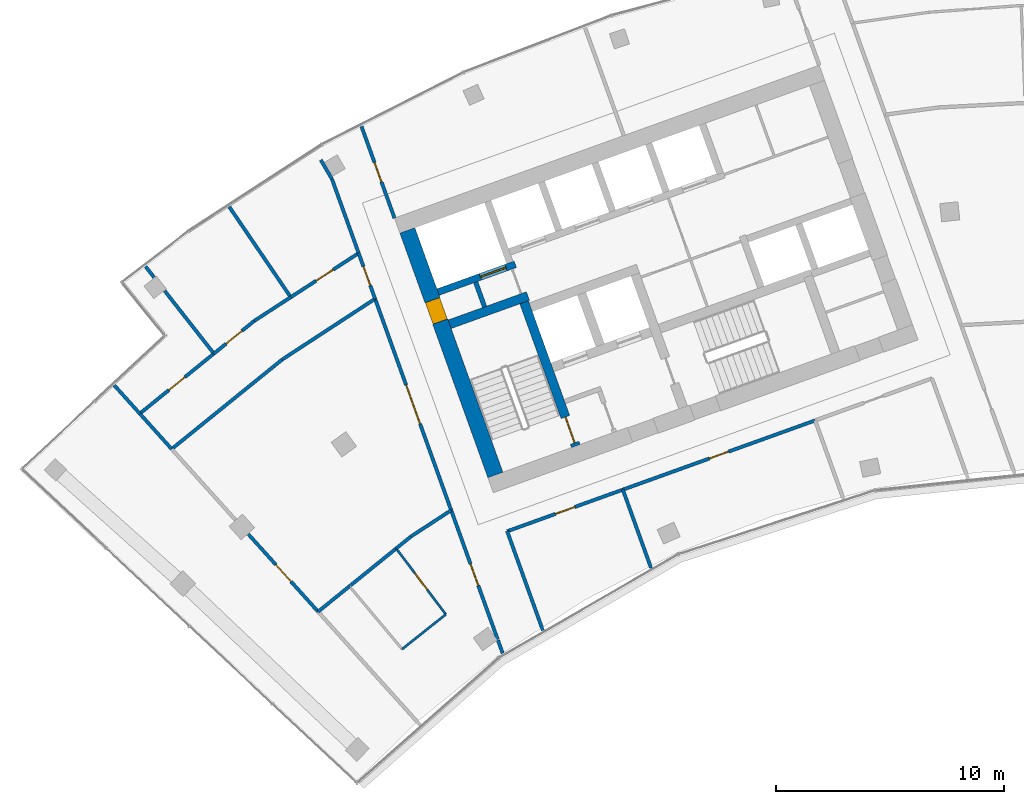
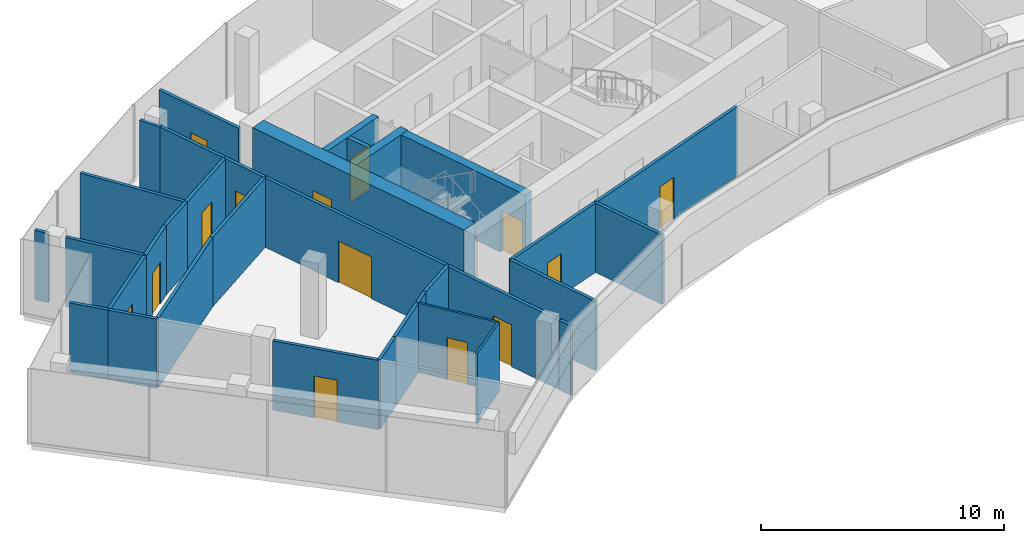
# One storey, part 12 of 18: 34 walls, 14 doors, 14 openings.
"""IFC4 building model written with IfcOpenShell, lengths in metres."""

from ifc_helpers import new_model, si_unit, direction, frame, frame_2d, origin, place, context, subcontext, project, spatial, rectangle, extrude, material, layer, layer_set, type_object, element, fill, save


model = new_model("IFC4")

# Units and contexts
model_context = context("Model", 3, precision=1e-05, world=origin(), true_north=direction((0.0, 1.0)))
body_context = subcontext(model_context, "Body", "Model", "MODEL_VIEW")
ifc_project = project(units=[si_unit("LENGTHUNIT", "METRE"), si_unit("AREAUNIT", "SQUARE_METRE"), si_unit("VOLUMEUNIT", "CUBIC_METRE"), si_unit("PLANEANGLEUNIT", "RADIAN"), si_unit("MASSUNIT", "GRAM", prefix="KILO")], contexts=[model_context])

# Site, building, storey
site_placement = place(None, origin())
site = spatial("IfcSite", under=ifc_project, at=site_placement, CompositionType="ELEMENT")
building_placement = place(site_placement, origin())
building = spatial("IfcBuilding", under=site, at=building_placement, Name="Stone Belt Terrace Tower", CompositionType="ELEMENT")
storey_placement = place(building_placement, frame((0.0, 0.0, 261.800048828125)))
storey = spatial("IfcBuildingStorey", under=building, at=storey_placement, Name="L63", CompositionType="ELEMENT", Elevation=261.800048828125)

# Wall, opening, door
ifc_material_1 = material(Name="Concrete B60", Category="concrete")
ifc_layer_1 = layer(ifc_material_1, 0.699951171875)
ifc_layer_set_1 = layer_set([ifc_layer_1], Name="Core wall 700 B60")
wall_type_1 = type_object("IfcWallType", Name="Core wall 700 B60", PredefinedType="SHEAR", material=ifc_layer_set_1)
wall_1_placement = place(storey_placement, frame((-25.679931640625, 43.153564453125, 0.0), z_axis=(0.0, 0.0, 1.0), x_axis=(-0.338625431531, 0.940921259788, 0.0)))
wall_1 = element("IfcWall", 1, at=wall_1_placement, inside=storey, type_object=wall_type_1, Name="Core A wall end_a L63", PredefinedType="SHEAR", context=body_context, shape_type="SweptSolid", body=[
    extrude(rectangle(XDim=11.400146484375, YDim=0.699951171875, at=frame_2d((5.7001953125, 0.0))), origin(), (0.0, 0.0, 1.0), 3.800048828125),
])
opening_1_placement = place(wall_1_placement, frame((7.14990234375, 0.0, 0.0)))
opening_1 = element("IfcOpeningElement", 2, at=opening_1_placement, cuts=wall_1, Name="Opening L63-C05", PredefinedType="OPENING", context=body_context, shape_type="SweptSolid", body=[
    extrude(rectangle(XDim=1.0, YDim=2.10009765625, at=frame_2d((0.5, 1.050048828125))), frame((0.0, 0.35986328125, 0.0), z_axis=(0.0, -1.0, 0.0), x_axis=(1.0, 0.0, 0.0)), (0.0, 0.0, 1.0), 0.719970703125),
])
ifc_material_2 = material(Name="Timber door leaf", Category="wood")
door_type_1 = type_object("IfcDoorType", Name="Core room door 1000", OperationType="SINGLE_SWING_LEFT", PredefinedType="DOOR", material=ifc_material_2)
door_1_placement = place(opening_1_placement, origin())
door_1 = element("IfcDoor", 3, at=door_1_placement, inside=storey, type_object=door_type_1, Name="Door to Telecommunications riser room core A", OperationType="SINGLE_SWING_LEFT", OverallHeight=2.10009765625, OverallWidth=1.0, PredefinedType="DOOR", context=body_context, shape_type="SweptSolid", body=[
    extrude(rectangle(XDim=1.0, YDim=2.10009765625, at=frame_2d((0.5, 1.050048828125))), frame((0.0, 0.330078125, 0.0), z_axis=(0.0, -1.0, 0.0), x_axis=(1.0, 0.0, 0.0)), (0.0, 0.0, 1.0), 0.659912109375),
])
fill(opening_1, door_1)

ifc_material_3 = material(Name="Concrete B80", Category="concrete")
ifc_layer_2 = layer(ifc_material_3, 0.300048828125)
ifc_layer_set_2 = layer_set([ifc_layer_2], Name="Lift shaft wall 300")
wall_type_2 = type_object("IfcWallType", Name="Lift shaft wall 300", PredefinedType="SHEAR", material=ifc_layer_set_2)
wall_2_placement = place(storey_placement, frame((-28.195068359375, 51.17578125, 0.0), z_axis=(0.0, 0.0, 1.0), x_axis=(0.940901243567, 0.338681044427, 0.0)))
wall_2 = element("IfcWall", 4, at=wall_2_placement, inside=storey, type_object=wall_type_2, Name="Core A wall", PredefinedType="SHEAR", context=body_context, shape_type="SweptSolid", body=[
    extrude(rectangle(XDim=3.599853515625, YDim=0.300048828125, at=frame_2d((1.7998046875, 0.0))), origin(), (0.0, 0.0, 1.0), 3.47998046875),
])
opening_2_placement = place(wall_2_placement, frame((1.969970703125, 0.0, 0.0)))
opening_2 = element("IfcOpeningElement", 5, at=opening_2_placement, cuts=wall_2, Name="Opening L63-LD07", PredefinedType="OPENING", context=body_context, shape_type="SweptSolid", body=[
    extrude(rectangle(XDim=1.199951171875, YDim=2.199951171875, at=frame_2d((0.60009765625, 1.10009765625))), frame((0.0, 0.159912109375, 0.0), z_axis=(0.0, -1.0, 0.0), x_axis=(1.0, 0.0, 0.0)), (0.0, 0.0, 1.0), 0.320068359375),
])
ifc_material_4 = material(Name="Stainless steel door leaf", Category="steel")
door_type_2 = type_object("IfcDoorType", Name="Landing door 1200", OperationType="SLIDING_TO_LEFT", PredefinedType="DOOR", material=ifc_material_4)
door_2_placement = place(opening_2_placement, origin())
door_2 = element("IfcDoor", 6, at=door_2_placement, inside=storey, type_object=door_type_2, Name="Landing door SV1 core A", OperationType="SLIDING_TO_LEFT", OverallHeight=2.199951171875, OverallWidth=1.199951171875, PredefinedType="DOOR", context=body_context, shape_type="SweptSolid", body=[
    extrude(rectangle(XDim=1.199951171875, YDim=2.199951171875, at=frame_2d((0.60009765625, 1.10009765625))), frame((0.0, 0.02490234375, 0.0), z_axis=(0.0, -1.0, 0.0), x_axis=(1.0, 0.0, 0.0)), (0.0, 0.0, 1.0), 0.050048828125),
])
fill(opening_2, door_2)

# Wall
ifc_material_5 = material(Name="Gypsum board partition")
ifc_layer_3 = layer(ifc_material_5, 0.10009765625)
ifc_layer_set_3 = layer_set([ifc_layer_3], Name="PARTITION 100")
wall_type_3 = type_object("IfcWallType", Name="PARTITION 100", PredefinedType="PARTITIONING", material=ifc_layer_set_3)
wall_3_placement = place(storey_placement, frame((-29.77197265625, 35.513916015625, 0.0), z_axis=(0.0, 0.0, 1.0), x_axis=(0.782936572479, 0.622101537914, 0.0)))
element("IfcWall", 7, at=wall_3_placement, inside=storey, type_object=wall_type_3, Name="L63/wall/i048", PredefinedType="PARTITIONING", context=body_context, shape_type="SweptSolid", body=[
    extrude(rectangle(XDim=2.448486328125, YDim=0.10009765625, at=frame_2d((1.22412109375, 0.0))), origin(), (0.0, 0.0, 1.0), 3.47998046875),
])

# Wall, opening, door
wall_4_placement = place(storey_placement, frame((-27.85498046875, 37.037109375, 0.0), z_axis=(0.0, 0.0, 1.0), x_axis=(-0.601304714061, 0.799019800035, 0.0)))
wall_4 = element("IfcWall", 8, at=wall_4_placement, inside=storey, type_object=wall_type_3, Name="L63/wall/i049", PredefinedType="PARTITIONING", context=body_context, shape_type="SweptSolid", body=[
    extrude(rectangle(XDim=3.620361328125, YDim=0.10009765625, at=frame_2d((1.81005859375, 0.0))), origin(), (0.0, 0.0, 1.0), 3.47998046875),
])
opening_3_placement = place(wall_4_placement, frame((1.3603515625, 0.0, 0.0)))
opening_3 = element("IfcOpeningElement", 9, at=opening_3_placement, cuts=wall_4, Name="Opening D-E1-13", PredefinedType="OPENING", context=body_context, shape_type="SweptSolid", body=[
    extrude(rectangle(XDim=0.89990234375, YDim=2.10009765625, at=frame_2d((0.449951171875, 1.050048828125))), frame((0.0, 0.06005859375, 0.0), z_axis=(0.0, -1.0, 0.0), x_axis=(1.0, 0.0, 0.0)), (0.0, 0.0, 1.0), 0.1201171875),
])
door_type_3 = type_object("IfcDoorType", Name="OFFICE DOOR 900 X 2100", OperationType="NOTDEFINED", PredefinedType="DOOR", material=ifc_material_2)
door_3_placement = place(opening_3_placement, origin())
door_3 = element("IfcDoor", 10, at=door_3_placement, inside=storey, type_object=door_type_3, Name="L63/door/i13", OperationType="SINGLE_SWING_RIGHT", OverallHeight=2.10009765625, OverallWidth=0.89990234375, PredefinedType="DOOR", context=body_context, shape_type="SweptSolid", body=[
    extrude(rectangle(XDim=0.89990234375, YDim=2.10009765625, at=frame_2d((0.449951171875, 1.050048828125))), frame((0.0, 0.02490234375, 0.0), z_axis=(0.0, -1.0, 0.0), x_axis=(1.0, 0.0, 0.0)), (0.0, 0.0, 1.0), 0.050048828125),
])
fill(opening_3, door_3)

# Wall
ifc_layer_4 = layer(ifc_material_5, 0.14990234375)
ifc_layer_set_4 = layer_set([ifc_layer_4], Name="PARTITION 150 EI 60")
wall_type_4 = type_object("IfcWallType", Name="PARTITION 150 EI 60", PredefinedType="PARTITIONING", material=ifc_layer_set_4)
wall_5_placement = place(storey_placement, frame((-25.1650390625, 40.68896484375, 0.0), z_axis=(0.0, 0.0, 1.0), x_axis=(0.338672803798, -0.940904209773, 0.0)))
element("IfcWall", 11, at=wall_5_placement, inside=storey, type_object=wall_type_4, Name="L63/wall/i001", PredefinedType="PARTITIONING", context=body_context, shape_type="SweptSolid", body=[
    extrude(rectangle(XDim=4.631591796875, YDim=0.14990234375, at=frame_2d((2.31591796875, 0.0))), origin(), (0.0, 0.0, 1.0), 3.47998046875),
])

# Wall, opening, door
wall_6_placement = place(storey_placement, frame((-31.556884765625, 58.451171875, 0.0), z_axis=(0.0, 0.0, 1.0), x_axis=(0.338725523051, -0.940885232127, 0.0)))
wall_6 = element("IfcWall", 12, at=wall_6_placement, inside=storey, type_object=wall_type_4, Name="L63/wall/i002", PredefinedType="PARTITIONING", context=body_context, shape_type="SweptSolid", body=[
    extrude(rectangle(XDim=4.283447265625, YDim=0.14990234375, at=frame_2d((2.1416015625, 0.0))), origin(), (0.0, 0.0, 1.0), 3.47998046875),
])
opening_4_placement = place(wall_6_placement, frame((1.691650390625, 0.0, 0.0)))
opening_4 = element("IfcOpeningElement", 13, at=opening_4_placement, cuts=wall_6, Name="Opening D-E1-04", PredefinedType="OPENING", context=body_context, shape_type="SweptSolid", body=[
    extrude(rectangle(XDim=0.89990234375, YDim=2.10009765625, at=frame_2d((0.449951171875, 1.050048828125))), frame((0.0, 0.0849609375, 0.0), z_axis=(0.0, -1.0, 0.0), x_axis=(1.0, 0.0, 0.0)), (0.0, 0.0, 1.0), 0.169921875),
])
door_4_placement = place(opening_4_placement, origin())
door_4 = element("IfcDoor", 14, at=door_4_placement, inside=storey, type_object=door_type_3, Name="L63/door/i04", OperationType="SINGLE_SWING_RIGHT", OverallHeight=2.10009765625, OverallWidth=0.89990234375, PredefinedType="DOOR", context=body_context, shape_type="SweptSolid", body=[
    extrude(rectangle(XDim=0.89990234375, YDim=2.10009765625, at=frame_2d((0.449951171875, 1.050048828125))), frame((0.0, 0.02490234375, 0.0), z_axis=(0.0, -1.0, 0.0), x_axis=(1.0, 0.0, 0.0)), (0.0, 0.0, 1.0), 0.050048828125),
])
fill(opening_4, door_4)

# Wall
wall_7_placement = place(storey_placement, frame((-25.361083984375, 35.330810546875, 0.0), z_axis=(0.0, 0.0, 1.0), x_axis=(-0.338533716033, 0.940954261964, 0.0)))
element("IfcWall", 15, at=wall_7_placement, inside=storey, type_object=wall_type_4, Name="L63/wall/i003", PredefinedType="PARTITIONING", context=body_context, shape_type="SweptSolid", body=[
    extrude(rectangle(XDim=0.60498046875, YDim=0.14990234375, at=frame_2d((0.302490234375, 0.0))), origin(), (0.0, 0.0, 1.0), 3.47998046875),
])

# Wall, opening, door
wall_8_placement = place(storey_placement, frame((-25.580322265625, 35.93994140625, 0.0), z_axis=(0.0, 0.0, 1.0), x_axis=(-0.338636303074, 0.940917347188, 0.0)))
wall_8 = element("IfcWall", 16, at=wall_8_placement, inside=storey, type_object=wall_type_4, Name="L63/wall/i004", PredefinedType="PARTITIONING", context=body_context, shape_type="SweptSolid", body=[
    extrude(rectangle(XDim=6.029296875, YDim=0.14990234375, at=frame_2d((3.0146484375, 0.0))), origin(), (0.0, 0.0, 1.0), 3.47998046875),
])
opening_5_placement = place(wall_8_placement, frame((2.5146484375, 0.0, 0.0)))
opening_5 = element("IfcOpeningElement", 17, at=opening_5_placement, cuts=wall_8, Name="Opening D-E1-12", PredefinedType="OPENING", context=body_context, shape_type="SweptSolid", body=[
    extrude(rectangle(XDim=1.0, YDim=2.10009765625, at=frame_2d((0.5, 1.050048828125))), frame((0.0, 0.0849609375, 0.0), z_axis=(0.0, -1.0, 0.0), x_axis=(1.0, 0.0, 0.0)), (0.0, 0.0, 1.0), 0.169921875),
])
ifc_material_6 = material(Name="Timber fire door leaf", Category="wood")
door_type_4 = type_object("IfcDoorType", Name="TENANCY ENTRANCE DOOR 1000 X 2100", OperationType="NOTDEFINED", PredefinedType="DOOR", material=ifc_material_6)
door_5_placement = place(opening_5_placement, origin())
door_5 = element("IfcDoor", 18, at=door_5_placement, inside=storey, type_object=door_type_4, Name="L63/door/i12", OperationType="SINGLE_SWING_RIGHT", OverallHeight=2.10009765625, OverallWidth=1.0, PredefinedType="DOOR", context=body_context, shape_type="SweptSolid", body=[
    extrude(rectangle(XDim=1.0, YDim=2.10009765625, at=frame_2d((0.5, 1.050048828125))), frame((0.0, 0.02490234375, 0.0), z_axis=(0.0, -1.0, 0.0), x_axis=(1.0, 0.0, 0.0)), (0.0, 0.0, 1.0), 0.050048828125),
])
fill(opening_5, door_5)

wall_9_placement = place(storey_placement, frame((-30.9560546875, 50.8740234375, 0.0), z_axis=(0.0, 0.0, 1.0), x_axis=(-0.338364310081, 0.94101519311, 0.0)))
wall_9 = element("IfcWall", 19, at=wall_9_placement, inside=storey, type_object=wall_type_4, Name="L63/wall/i005", PredefinedType="PARTITIONING", context=body_context, shape_type="SweptSolid", body=[
    extrude(rectangle(XDim=2.142333984375, YDim=0.14990234375, at=frame_2d((1.0712890625, 0.0))), origin(), (0.0, 0.0, 1.0), 3.47998046875),
])
opening_6_placement = place(wall_9_placement, frame((0.62109375, 0.0, 0.0)))
opening_6 = element("IfcOpeningElement", 20, at=opening_6_placement, cuts=wall_9, Name="Opening D-E1-14", PredefinedType="OPENING", context=body_context, shape_type="SweptSolid", body=[
    extrude(rectangle(XDim=0.89990234375, YDim=2.10009765625, at=frame_2d((0.449951171875, 1.050048828125))), frame((0.0, 0.0849609375, 0.0), z_axis=(0.0, -1.0, 0.0), x_axis=(1.0, 0.0, 0.0)), (0.0, 0.0, 1.0), 0.169921875),
])
door_6_placement = place(opening_6_placement, origin())
door_6 = element("IfcDoor", 21, at=door_6_placement, inside=storey, type_object=door_type_3, Name="L63/door/i14", OperationType="SINGLE_SWING_RIGHT", OverallHeight=2.10009765625, OverallWidth=0.89990234375, PredefinedType="DOOR", context=body_context, shape_type="SweptSolid", body=[
    extrude(rectangle(XDim=0.89990234375, YDim=2.10009765625, at=frame_2d((0.449951171875, 1.050048828125))), frame((0.0, 0.02490234375, 0.0), z_axis=(0.0, -1.0, 0.0), x_axis=(1.0, 0.0, 0.0)), (0.0, 0.0, 1.0), 0.050048828125),
])
fill(opening_6, door_6)

# Walls
wall_10_placement = place(storey_placement, frame((-31.677001953125, 52.8779296875, 0.0), z_axis=(0.0, 0.0, 1.0), x_axis=(-0.338749400417, 0.940876635759, 0.0)))
element("IfcWall", 22, at=wall_10_placement, inside=storey, type_object=wall_type_4, Name="L63/wall/i006", PredefinedType="PARTITIONING", context=body_context, shape_type="SweptSolid", body=[
    extrude(rectangle(XDim=3.4658203125, YDim=0.14990234375, at=frame_2d((1.73291015625, 0.0))), origin(), (0.0, 0.0, 1.0), 3.47998046875),
])
wall_11_placement = place(storey_placement, frame((-32.85107421875, 56.138916015625, 0.0), z_axis=(0.0, 0.0, 1.0), x_axis=(-0.505505320148, 0.862823487917, 0.0)))
element("IfcWall", 23, at=wall_11_placement, inside=storey, type_object=wall_type_4, Name="L63/wall/i007", PredefinedType="PARTITIONING", context=body_context, shape_type="SweptSolid", body=[
    extrude(rectangle(XDim=0.96533203125, YDim=0.14990234375, at=frame_2d((0.482666015625, 0.0))), origin(), (0.0, 0.0, 1.0), 3.47998046875),
])

# Wall, opening, door
wall_12_placement = place(storey_placement, frame((-27.617919921875, 41.60107421875, 0.0), z_axis=(0.0, 0.0, 1.0), x_axis=(-0.338672159599, 0.940904441648, 0.0)))
wall_12 = element("IfcWall", 24, at=wall_12_placement, inside=storey, type_object=wall_type_4, Name="L63/wall/i008", PredefinedType="PARTITIONING", context=body_context, shape_type="SweptSolid", body=[
    extrude(rectangle(XDim=9.8681640625, YDim=0.14990234375, at=frame_2d((4.93408203125, 0.0))), origin(), (0.0, 0.0, 1.0), 3.47998046875),
])
opening_7_placement = place(wall_12_placement, frame((4.0341796875, 0.0, 0.0)))
opening_7 = element("IfcOpeningElement", 25, at=opening_7_placement, cuts=wall_12, Name="Opening D-E1-18", PredefinedType="OPENING", context=body_context, shape_type="SweptSolid", body=[
    extrude(rectangle(XDim=1.800048828125, YDim=2.10009765625, at=frame_2d((0.89990234375, 1.050048828125))), frame((0.0, 0.0849609375, 0.0), z_axis=(0.0, -1.0, 0.0), x_axis=(1.0, 0.0, 0.0)), (0.0, 0.0, 1.0), 0.169921875),
])
door_type_5 = type_object("IfcDoorType", Name="DOUBLE DOOR 1800 X 2100", OperationType="DOUBLE_DOOR_SINGLE_SWING", PredefinedType="DOOR", material=ifc_material_2)
door_7_placement = place(opening_7_placement, origin())
door_7 = element("IfcDoor", 26, at=door_7_placement, inside=storey, type_object=door_type_5, Name="L63/door/i18", OperationType="DOUBLE_DOOR_SINGLE_SWING", OverallHeight=2.10009765625, OverallWidth=1.800048828125, PredefinedType="DOOR", context=body_context, shape_type="SweptSolid", body=[
    extrude(rectangle(XDim=1.800048828125, YDim=2.10009765625, at=frame_2d((0.89990234375, 1.050048828125))), frame((0.0, 0.02490234375, 0.0), z_axis=(0.0, -1.0, 0.0), x_axis=(1.0, 0.0, 0.0)), (0.0, 0.0, 1.0), 0.050048828125),
])
fill(opening_7, door_7)

wall_13_placement = place(storey_placement, frame((-20.0830078125, 42.510986328125, 0.0), z_axis=(0.0, 0.0, 1.0), x_axis=(-0.940943315894, -0.338564139086, 0.0)))
wall_13 = element("IfcWall", 27, at=wall_13_placement, inside=storey, type_object=wall_type_4, Name="L63/wall/i016", PredefinedType="PARTITIONING", context=body_context, shape_type="SweptSolid", body=[
    extrude(rectangle(XDim=5.39892578125, YDim=0.14990234375, at=frame_2d((2.699462890625, 0.0))), origin(), (0.0, 0.0, 1.0), 3.47998046875),
])
opening_8_placement = place(wall_13_placement, frame((2.24951171875, 0.0, 0.0)))
opening_8 = element("IfcOpeningElement", 28, at=opening_8_placement, cuts=wall_13, Name="Opening D-E1-01", PredefinedType="OPENING", context=body_context, shape_type="SweptSolid", body=[
    extrude(rectangle(XDim=0.89990234375, YDim=2.10009765625, at=frame_2d((0.449951171875, 1.050048828125))), frame((0.0, 0.0849609375, 0.0), z_axis=(0.0, -1.0, 0.0), x_axis=(1.0, 0.0, 0.0)), (0.0, 0.0, 1.0), 0.169921875),
])
door_8_placement = place(opening_8_placement, origin())
door_8 = element("IfcDoor", 29, at=door_8_placement, inside=storey, type_object=door_type_3, Name="L63/door/i01", OperationType="SINGLE_SWING_RIGHT", OverallHeight=2.10009765625, OverallWidth=0.89990234375, PredefinedType="DOOR", context=body_context, shape_type="SweptSolid", body=[
    extrude(rectangle(XDim=0.89990234375, YDim=2.10009765625, at=frame_2d((0.449951171875, 1.050048828125))), frame((0.0, 0.02490234375, 0.0), z_axis=(0.0, -1.0, 0.0), x_axis=(1.0, 0.0, 0.0)), (0.0, 0.0, 1.0), 0.050048828125),
])
fill(opening_8, door_8)

wall_14_placement = place(storey_placement, frame((-11.64892578125, 45.547119140625, 0.0), z_axis=(0.0, 0.0, 1.0), x_axis=(-0.940906479628, -0.338666497596, 0.0)))
wall_14 = element("IfcWall", 30, at=wall_14_placement, inside=storey, type_object=wall_type_4, Name="L63/wall/i017", PredefinedType="PARTITIONING", context=body_context, shape_type="SweptSolid", body=[
    extrude(rectangle(XDim=8.9765625, YDim=0.14990234375, at=frame_2d((4.48828125, 0.0))), origin(), (0.0, 0.0, 1.0), 3.47998046875),
])
opening_9_placement = place(wall_14_placement, frame((4.038330078125, 0.0, 0.0)))
opening_9 = element("IfcOpeningElement", 31, at=opening_9_placement, cuts=wall_14, Name="Opening D-E1-02", PredefinedType="OPENING", context=body_context, shape_type="SweptSolid", body=[
    extrude(rectangle(XDim=0.89990234375, YDim=2.10009765625, at=frame_2d((0.449951171875, 1.050048828125))), frame((0.0, 0.0849609375, 0.0), z_axis=(0.0, -1.0, 0.0), x_axis=(1.0, 0.0, 0.0)), (0.0, 0.0, 1.0), 0.169921875),
])
door_9_placement = place(opening_9_placement, origin())
door_9 = element("IfcDoor", 32, at=door_9_placement, inside=storey, type_object=door_type_3, Name="L63/door/i02", OperationType="SINGLE_SWING_RIGHT", OverallHeight=2.10009765625, OverallWidth=0.89990234375, PredefinedType="DOOR", context=body_context, shape_type="SweptSolid", body=[
    extrude(rectangle(XDim=0.89990234375, YDim=2.10009765625, at=frame_2d((0.449951171875, 1.050048828125))), frame((0.0, 0.02490234375, 0.0), z_axis=(0.0, -1.0, 0.0), x_axis=(1.0, 0.0, 0.0)), (0.0, 0.0, 1.0), 0.050048828125),
])
fill(opening_9, door_9)

# Walls
wall_15_placement = place(storey_placement, frame((-20.089111328125, 42.509033203125, 0.0), z_axis=(0.0, 0.0, 1.0), x_axis=(0.338565699627, -0.940942754389, 0.0)))
element("IfcWall", 33, at=wall_15_placement, inside=storey, type_object=wall_type_4, Name="L63/wall/i019", PredefinedType="PARTITIONING", context=body_context, shape_type="SweptSolid", body=[
    extrude(rectangle(XDim=3.654541015625, YDim=0.14990234375, at=frame_2d((1.8271484375, 0.0))), origin(), (0.0, 0.0, 1.0), 3.47998046875),
])
wall_16_placement = place(storey_placement, frame((-41.282958984375, 45.84912109375, 0.0), z_axis=(0.0, 0.0, 1.0), x_axis=(0.668983971607, -0.743276829811, 0.0)))
element("IfcWall", 34, at=wall_16_placement, inside=storey, type_object=wall_type_4, Name="L63/wall/i043", PredefinedType="PARTITIONING", context=body_context, shape_type="SweptSolid", body=[
    extrude(rectangle(XDim=2.103271484375, YDim=0.14990234375, at=frame_2d((1.0517578125, 0.0))), origin(), (0.0, 0.0, 1.0), 3.47998046875),
])
wall_17_placement = place(storey_placement, frame((-42.39892578125, 47.08837890625, 0.0), z_axis=(0.0, 0.0, 1.0), x_axis=(0.669149398275, -0.74312790473, 0.0)))
element("IfcWall", 35, at=wall_17_placement, inside=storey, type_object=wall_type_4, Name="L63/wall/i044", PredefinedType="PARTITIONING", context=body_context, shape_type="SweptSolid", body=[
    extrude(rectangle(XDim=1.6796875, YDim=0.14990234375, at=frame_2d((0.83984375, 0.0))), origin(), (0.0, 0.0, 1.0), 3.47998046875),
])

# Wall, opening, door
wall_18_placement = place(storey_placement, frame((-33.452880859375, 37.152099609375, 0.0), z_axis=(0.0, 0.0, 1.0), x_axis=(-0.669112093369, 0.74316149423, 0.0)))
wall_18 = element("IfcWall", 36, at=wall_18_placement, inside=storey, type_object=wall_type_4, Name="L63/wall/i046", PredefinedType="PARTITIONING", context=body_context, shape_type="SweptSolid", body=[
    extrude(rectangle(XDim=4.576171875, YDim=0.14990234375, at=frame_2d((2.2880859375, 0.0))), origin(), (0.0, 0.0, 1.0), 3.47998046875),
])
opening_10_placement = place(wall_18_placement, frame((1.7880859375, 0.0, 0.0)))
opening_10 = element("IfcOpeningElement", 37, at=opening_10_placement, cuts=wall_18, Name="Opening D-E1-11", PredefinedType="OPENING", context=body_context, shape_type="SweptSolid", body=[
    extrude(rectangle(XDim=1.0, YDim=2.10009765625, at=frame_2d((0.5, 1.050048828125))), frame((0.0, 0.0849609375, 0.0), z_axis=(0.0, -1.0, 0.0), x_axis=(1.0, 0.0, 0.0)), (0.0, 0.0, 1.0), 0.169921875),
])
door_10_placement = place(opening_10_placement, origin())
door_10 = element("IfcDoor", 38, at=door_10_placement, inside=storey, type_object=door_type_4, Name="L63/door/i11", OperationType="SINGLE_SWING_RIGHT", OverallHeight=2.10009765625, OverallWidth=1.0, PredefinedType="DOOR", context=body_context, shape_type="SweptSolid", body=[
    extrude(rectangle(XDim=1.0, YDim=2.10009765625, at=frame_2d((0.5, 1.050048828125))), frame((0.0, 0.02490234375, 0.0), z_axis=(0.0, -1.0, 0.0), x_axis=(1.0, 0.0, 0.0)), (0.0, 0.0, 1.0), 0.050048828125),
])
fill(opening_10, door_10)

# Walls
wall_19_placement = place(storey_placement, frame((-33.45703125, 37.156982421875, 0.0), z_axis=(0.0, 0.0, 1.0), x_axis=(0.777260939876, 0.629178378, 0.0)))
element("IfcWall", 39, at=wall_19_placement, inside=storey, type_object=wall_type_4, Name="L63/wall/i050", PredefinedType="PARTITIONING", context=body_context, shape_type="SweptSolid", body=[
    extrude(rectangle(XDim=1.76904296875, YDim=0.14990234375, at=frame_2d((0.884521484375, 0.0))), origin(), (0.0, 0.0, 1.0), 3.47998046875),
])
wall_20_placement = place(storey_placement, frame((-30.031982421875, 39.929931640625, 0.0), z_axis=(0.0, 0.0, 1.0), x_axis=(0.776997505944, 0.62950367414, 0.0)))
element("IfcWall", 40, at=wall_20_placement, inside=storey, type_object=wall_type_4, Name="L63/wall/i051", PredefinedType="PARTITIONING", context=body_context, shape_type="SweptSolid", body=[
    extrude(rectangle(XDim=0.82763671875, YDim=0.14990234375, at=frame_2d((0.413818359375, 0.0))), origin(), (0.0, 0.0, 1.0), 3.47998046875),
])
wall_21_placement = place(storey_placement, frame((-29.388916015625, 40.450927734375, 0.0), z_axis=(0.0, 0.0, 1.0), x_axis=(0.837081543775, 0.547078137995, 0.0)))
element("IfcWall", 41, at=wall_21_placement, inside=storey, type_object=wall_type_4, Name="L63/wall/i052", PredefinedType="PARTITIONING", context=body_context, shape_type="SweptSolid", body=[
    extrude(rectangle(XDim=2.113037109375, YDim=0.14990234375, at=frame_2d((1.056640625, 0.0))), origin(), (0.0, 0.0, 1.0), 3.47998046875),
])
wall_22_placement = place(storey_placement, frame((-32.08203125, 38.27001953125, 0.0), z_axis=(0.0, 0.0, 1.0), x_axis=(0.777180205234, 0.629278101154, 0.0)))
element("IfcWall", 42, at=wall_22_placement, inside=storey, type_object=wall_type_4, Name="L63/wall/i053", PredefinedType="PARTITIONING", context=body_context, shape_type="SweptSolid", body=[
    extrude(rectangle(XDim=2.6376953125, YDim=0.14990234375, at=frame_2d((1.31884765625, 0.0))), origin(), (0.0, 0.0, 1.0), 3.47998046875),
])

# Wall, opening, door
wall_23_placement = place(storey_placement, frame((-41.279052734375, 45.844970703125, 0.0), z_axis=(0.0, 0.0, 1.0), x_axis=(0.777120018263, 0.629352426877, 0.0)))
wall_23 = element("IfcWall", 43, at=wall_23_placement, inside=storey, type_object=wall_type_4, Name="L63/wall/i054", PredefinedType="PARTITIONING", context=body_context, shape_type="SweptSolid", body=[
    extrude(rectangle(XDim=4.18994140625, YDim=0.14990234375, at=frame_2d((2.094970703125, 0.0))), origin(), (0.0, 0.0, 1.0), 3.47998046875),
])
opening_11_placement = place(wall_23_placement, frame((1.64501953125, 0.0, 0.0)))
opening_11 = element("IfcOpeningElement", 44, at=opening_11_placement, cuts=wall_23, Name="Opening D-E1-15", PredefinedType="OPENING", context=body_context, shape_type="SweptSolid", body=[
    extrude(rectangle(XDim=0.89990234375, YDim=2.10009765625, at=frame_2d((0.449951171875, 1.050048828125))), frame((0.0, 0.0849609375, 0.0), z_axis=(0.0, -1.0, 0.0), x_axis=(1.0, 0.0, 0.0)), (0.0, 0.0, 1.0), 0.169921875),
])
door_11_placement = place(opening_11_placement, origin())
door_11 = element("IfcDoor", 45, at=door_11_placement, inside=storey, type_object=door_type_3, Name="L63/door/i15", OperationType="SINGLE_SWING_RIGHT", OverallHeight=2.10009765625, OverallWidth=0.89990234375, PredefinedType="DOOR", context=body_context, shape_type="SweptSolid", body=[
    extrude(rectangle(XDim=0.89990234375, YDim=2.10009765625, at=frame_2d((0.449951171875, 1.050048828125))), frame((0.0, 0.02490234375, 0.0), z_axis=(0.0, -1.0, 0.0), x_axis=(1.0, 0.0, 0.0)), (0.0, 0.0, 1.0), 0.050048828125),
])
fill(opening_11, door_11)

wall_24_placement = place(storey_placement, frame((-38.031982421875, 48.47412109375, 0.0), z_axis=(0.0, 0.0, 1.0), x_axis=(0.776997863972, 0.629503232226, 0.0)))
wall_24 = element("IfcWall", 46, at=wall_24_placement, inside=storey, type_object=wall_type_4, Name="L63/wall/i055", PredefinedType="PARTITIONING", context=body_context, shape_type="SweptSolid", body=[
    extrude(rectangle(XDim=2.279296875, YDim=0.14990234375, at=frame_2d((1.1396484375, 0.0))), origin(), (0.0, 0.0, 1.0), 3.47998046875),
])
opening_12_placement = place(wall_24_placement, frame((0.689697265625, 0.0, 0.0)))
opening_12 = element("IfcOpeningElement", 47, at=opening_12_placement, cuts=wall_24, Name="Opening D-E1-16", PredefinedType="OPENING", context=body_context, shape_type="SweptSolid", body=[
    extrude(rectangle(XDim=0.89990234375, YDim=2.10009765625, at=frame_2d((0.449951171875, 1.050048828125))), frame((0.0, 0.0849609375, 0.0), z_axis=(0.0, -1.0, 0.0), x_axis=(1.0, 0.0, 0.0)), (0.0, 0.0, 1.0), 0.169921875),
])
door_12_placement = place(opening_12_placement, origin())
door_12 = element("IfcDoor", 48, at=door_12_placement, inside=storey, type_object=door_type_3, Name="L63/door/i16", OperationType="SINGLE_SWING_RIGHT", OverallHeight=2.10009765625, OverallWidth=0.89990234375, PredefinedType="DOOR", context=body_context, shape_type="SweptSolid", body=[
    extrude(rectangle(XDim=0.89990234375, YDim=2.10009765625, at=frame_2d((0.449951171875, 1.050048828125))), frame((0.0, 0.02490234375, 0.0), z_axis=(0.0, -1.0, 0.0), x_axis=(1.0, 0.0, 0.0)), (0.0, 0.0, 1.0), 0.050048828125),
])
fill(opening_12, door_12)

# Wall
wall_25_placement = place(storey_placement, frame((-36.260986328125, 49.908935546875, 0.0), z_axis=(0.0, 0.0, 1.0), x_axis=(0.838588953135, 0.544764690193, 0.0)))
element("IfcWall", 49, at=wall_25_placement, inside=storey, type_object=wall_type_4, Name="L63/wall/i056", PredefinedType="PARTITIONING", context=body_context, shape_type="SweptSolid", body=[
    extrude(rectangle(XDim=1.91845703125, YDim=0.14990234375, at=frame_2d((0.959228515625, 0.0))), origin(), (0.0, 0.0, 1.0), 3.47998046875),
])

# Wall, opening, door
wall_26_placement = place(storey_placement, frame((-34.662109375, 50.947998046875, 0.0), z_axis=(0.0, 0.0, 1.0), x_axis=(0.838830810825, 0.544392203113, 0.0)))
wall_26 = element("IfcWall", 50, at=wall_26_placement, inside=storey, type_object=wall_type_4, Name="L63/wall/i057", PredefinedType="PARTITIONING", context=body_context, shape_type="SweptSolid", body=[
    extrude(rectangle(XDim=3.556396484375, YDim=0.14990234375, at=frame_2d((1.7783203125, 0.0))), origin(), (0.0, 0.0, 1.0), 3.47998046875),
])
opening_13_placement = place(wall_26_placement, frame((1.328125, 0.0, 0.0)))
opening_13 = element("IfcOpeningElement", 51, at=opening_13_placement, cuts=wall_26, Name="Opening D-E1-17", PredefinedType="OPENING", context=body_context, shape_type="SweptSolid", body=[
    extrude(rectangle(XDim=0.89990234375, YDim=2.10009765625, at=frame_2d((0.449951171875, 1.050048828125))), frame((0.0, 0.0849609375, 0.0), z_axis=(0.0, -1.0, 0.0), x_axis=(1.0, 0.0, 0.0)), (0.0, 0.0, 1.0), 0.169921875),
])
door_13_placement = place(opening_13_placement, origin())
door_13 = element("IfcDoor", 52, at=door_13_placement, inside=storey, type_object=door_type_3, Name="L63/door/i17", OperationType="SINGLE_SWING_RIGHT", OverallHeight=2.10009765625, OverallWidth=0.89990234375, PredefinedType="DOOR", context=body_context, shape_type="SweptSolid", body=[
    extrude(rectangle(XDim=0.89990234375, YDim=2.10009765625, at=frame_2d((0.449951171875, 1.050048828125))), frame((0.0, 0.02490234375, 0.0), z_axis=(0.0, -1.0, 0.0), x_axis=(1.0, 0.0, 0.0)), (0.0, 0.0, 1.0), 0.050048828125),
])
fill(opening_13, door_13)

# Walls
wall_27_placement = place(storey_placement, frame((-30.9580078125, 50.8798828125, 0.0), z_axis=(0.0, 0.0, 1.0), x_axis=(-0.837055321155, -0.547118258995, 0.0)))
element("IfcWall", 53, at=wall_27_placement, inside=storey, type_object=wall_type_4, Name="L63/wall/i058", PredefinedType="PARTITIONING", context=body_context, shape_type="SweptSolid", body=[
    extrude(rectangle(XDim=4.866943359375, YDim=0.14990234375, at=frame_2d((2.43359375, 0.0))), origin(), (0.0, 0.0, 1.0), 3.47998046875),
])
wall_28_placement = place(storey_placement, frame((-35.031982421875, 48.217041015625, 0.0), z_axis=(0.0, 0.0, 1.0), x_axis=(-0.777124553354, -0.629346826937, 0.0)))
element("IfcWall", 54, at=wall_28_placement, inside=storey, type_object=wall_type_4, Name="L63/wall/i059", PredefinedType="PARTITIONING", context=body_context, shape_type="SweptSolid", body=[
    extrude(rectangle(XDim=6.23828125, YDim=0.14990234375, at=frame_2d((3.119140625, 0.0))), origin(), (0.0, 0.0, 1.0), 3.47998046875),
])
wall_29_placement = place(storey_placement, frame((-41.03076171875, 52.3056640625, 0.0), z_axis=(0.0, 0.0, 1.0), x_axis=(0.61729067696, -0.786735165185, 0.0)))
element("IfcWall", 55, at=wall_29_placement, inside=storey, type_object=wall_type_4, Name="L63/wall/i060", PredefinedType="PARTITIONING", context=body_context, shape_type="SweptSolid", body=[
    extrude(rectangle(XDim=0.609375, YDim=0.14990234375, at=frame_2d((0.3046875, 0.0))), origin(), (0.0, 0.0, 1.0), 3.47998046875),
])
wall_30_placement = place(storey_placement, frame((-40.185546875, 51.228271484375, 0.0), z_axis=(0.0, 0.0, 1.0), x_axis=(0.617213700374, -0.786795556718, 0.0)))
element("IfcWall", 56, at=wall_30_placement, inside=storey, type_object=wall_type_4, Name="L63/wall/i061", PredefinedType="PARTITIONING", context=body_context, shape_type="SweptSolid", body=[
    extrude(rectangle(XDim=3.49560546875, YDim=0.14990234375, at=frame_2d((1.747802734375, 0.0))), origin(), (0.0, 0.0, 1.0), 3.47998046875),
])
wall_31_placement = place(storey_placement, frame((-37.3583984375, 54.922607421875, 0.0), z_axis=(0.0, 0.0, 1.0), x_axis=(0.56240594474, -0.826861266067, 0.0)))
element("IfcWall", 57, at=wall_31_placement, inside=storey, type_object=wall_type_4, Name="L63/wall/i062", PredefinedType="PARTITIONING", context=body_context, shape_type="SweptSolid", body=[
    extrude(rectangle(XDim=4.80322265625, YDim=0.14990234375, at=frame_2d((2.401611328125, 0.0))), origin(), (0.0, 0.0, 1.0), 3.47998046875),
])
ifc_material_7 = material(Name="Concrete masonry block", Category="masonry")
ifc_layer_5 = layer(ifc_material_7, 0.199951171875)
ifc_layer_set_5 = layer_set([ifc_layer_5], Name="Rated lobby wall 200")
wall_type_5 = type_object("IfcWallType", Name="Rated lobby wall 200", PredefinedType="PARTITIONING", material=ifc_layer_set_5)
wall_32_placement = place(storey_placement, frame((-26.1552734375, 50.5283203125, 0.0), z_axis=(0.0, 0.0, 1.0), x_axis=(-0.338621735342, 0.94092258999, 0.0)))
element("IfcWall", 58, at=wall_32_placement, inside=storey, type_object=wall_type_5, Name="Core A wall", PredefinedType="PARTITIONING", context=body_context, shape_type="SweptSolid", body=[
    extrude(rectangle(XDim=1.14990234375, YDim=0.199951171875, at=frame_2d((0.574951171875, 0.0))), origin(), (0.0, 0.0, 1.0), 3.47998046875),
])
ifc_layer_6 = layer(ifc_material_3, 0.39990234375)
ifc_layer_set_6 = layer_set([ifc_layer_6], Name="Stair enclosure wall 400")
wall_type_6 = type_object("IfcWallType", Name="Stair enclosure wall 400", PredefinedType="SHEAR", material=ifc_layer_set_6)
wall_33_placement = place(storey_placement, frame((-27.687255859375, 49.764404296875, 0.0), z_axis=(0.0, 0.0, 1.0), x_axis=(0.940918954884, 0.338631835981, 0.0)))
element("IfcWall", 59, at=wall_33_placement, inside=storey, type_object=wall_type_6, Name="Core A wall", PredefinedType="SHEAR", context=body_context, shape_type="SweptSolid", body=[
    extrude(rectangle(XDim=3.650146484375, YDim=0.39990234375, at=frame_2d((1.8251953125, 0.0))), origin(), (0.0, 0.0, 1.0), 3.47998046875),
])

# Wall, opening, door
wall_34_placement = place(storey_placement, frame((-22.151611328125, 44.42333984375, 0.0), z_axis=(0.0, 0.0, 1.0), x_axis=(-0.338625272931, 0.940921316866, 0.0)))
wall_34 = element("IfcWall", 60, at=wall_34_placement, inside=storey, type_object=wall_type_6, Name="Core A wall", PredefinedType="SHEAR", context=body_context, shape_type="SweptSolid", body=[
    extrude(rectangle(XDim=6.699951171875, YDim=0.39990234375, at=frame_2d((3.35009765625, 0.0))), origin(), (0.0, 0.0, 1.0), 3.47998046875),
])
opening_14_placement = place(wall_34_placement, frame((0.14990234375, 0.0, 0.0)))
opening_14 = element("IfcOpeningElement", 61, at=opening_14_placement, cuts=wall_34, Name="Opening L63-C09", PredefinedType="OPENING", context=body_context, shape_type="SweptSolid", body=[
    extrude(rectangle(XDim=1.199951171875, YDim=2.10009765625, at=frame_2d((0.60009765625, 1.050048828125))), frame((0.0, 0.2099609375, 0.0), z_axis=(0.0, -1.0, 0.0), x_axis=(1.0, 0.0, 0.0)), (0.0, 0.0, 1.0), 0.419921875),
])
ifc_material_8 = material(Name="Steel door leaf", Category="steel")
door_type_6 = type_object("IfcDoorType", Name="Stair door 1200", OperationType="SINGLE_SWING_LEFT", PredefinedType="DOOR", material=ifc_material_8)
door_14_placement = place(opening_14_placement, origin())
door_14 = element("IfcDoor", 62, at=door_14_placement, inside=storey, type_object=door_type_6, Name="Stair 1 door core A", OperationType="SINGLE_SWING_RIGHT", OverallHeight=2.10009765625, OverallWidth=1.199951171875, PredefinedType="DOOR", context=body_context, shape_type="SweptSolid", body=[
    extrude(rectangle(XDim=1.199951171875, YDim=2.10009765625, at=frame_2d((0.60009765625, 1.050048828125))), frame((0.0, 0.02490234375, 0.0), z_axis=(0.0, -1.0, 0.0), x_axis=(1.0, 0.0, 0.0)), (0.0, 0.0, 1.0), 0.050048828125),
])
fill(opening_14, door_14)

save(model, "model.ifc")
